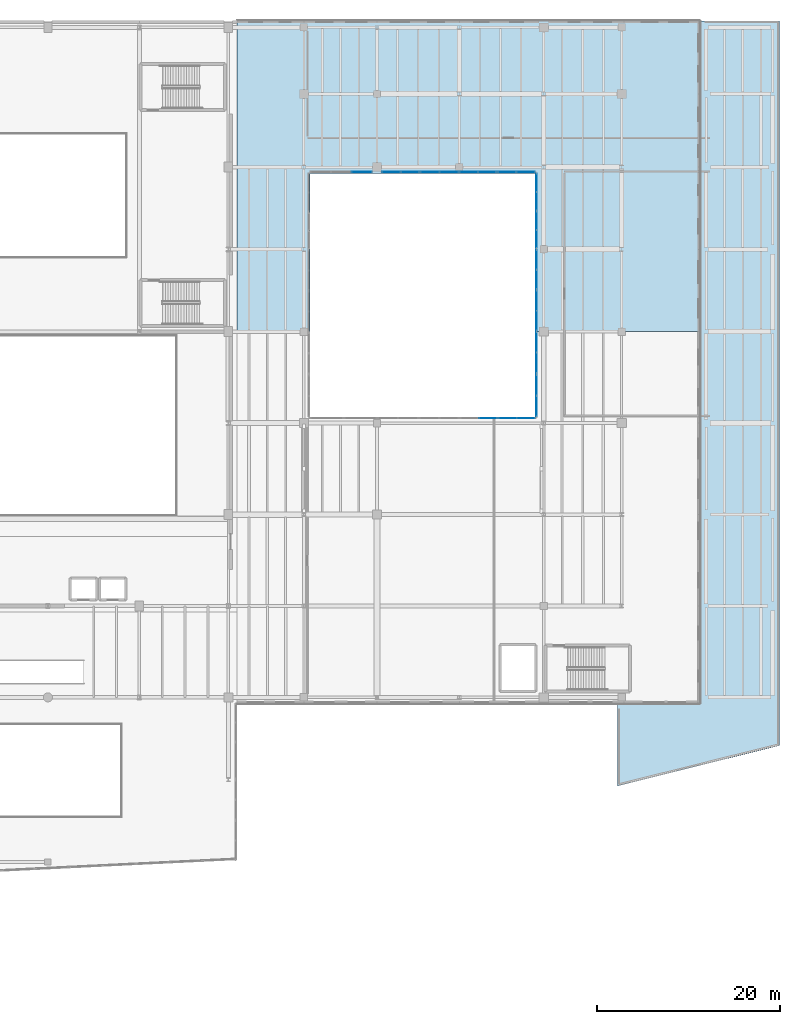
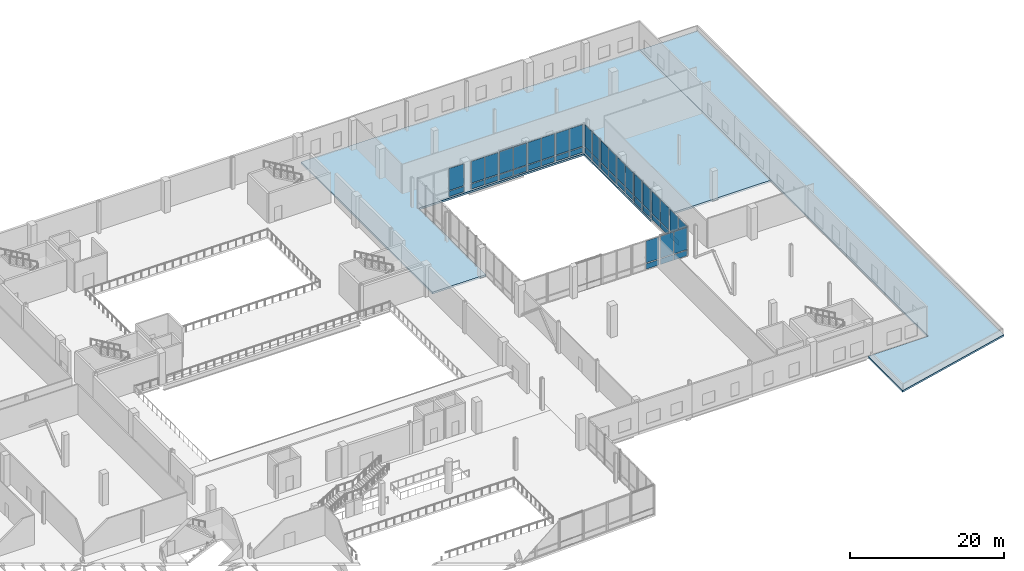
# One storey, part 50 of 73: 48 plates, 2 slabs, 13 elements without a shape of their own.
"""IFC4 building model written with IfcOpenShell, lengths in metres."""

import ifcopenshell
import ifcopenshell.guid

model = None  # the IFC model being written
_history = None  # IfcOwnerHistory: only IFC2X3 demands one
_inside = {}  # id of a spatial element -> (the spatial element, [elements in it])
_under = {}  # id of a project, library or spatial element -> (it, [spatial elements below it])
_declared = {}  # id of a project -> (the project, [libraries it declares])
_typed = {}  # id of a type object -> (the type object, [elements of that type])
_made_of = {}  # id of a material, layer set ... -> (it, [elements and type objects made of it])


def new_model(schema):
    """Start an empty IFC model of exactly this schema.

    Asked for "IFC4X3", IfcOpenShell would pick the latest addendum, in which some entities
    have other attributes; the version numbers below select the first issue.
    IFC2X3 requires an IfcOwnerHistory on every rooted entity: one is made here for all.
    """
    global model, _history
    if schema == "IFC4X3":
        model = ifcopenshell.file(schema_version=(4, 3, 0, 0))
    else:
        model = ifcopenshell.file(schema=schema)
    _inside.clear()
    _under.clear()
    _declared.clear()
    _typed.clear()
    _made_of.clear()
    _history = None
    if model.schema == "IFC2X3":
        org = make("IfcOrganization", Name="unknown")
        user = make(
            "IfcPersonAndOrganization",
            ThePerson=make("IfcPerson", FamilyName="unknown"),
            TheOrganization=org,
        )
        app = make(
            "IfcApplication",
            ApplicationDeveloper=org,
            Version="unknown",
            ApplicationFullName="unknown",
            ApplicationIdentifier="unknown",
        )
        _history = make(
            "IfcOwnerHistory",
            OwningUser=user,
            OwningApplication=app,
            ChangeAction="ADDED",
            CreationDate=0,
        )
    return model


def make(cls, **values):
    """One entity of the class cls with the attributes given. An attribute that is None is left unset."""
    return model.create_entity(
        cls, **{name: value for name, value in values.items() if value is not None}
    )


def rooted(cls, **values):
    """An entity with a GlobalId (a new one), such as an element, a storey or a relation."""
    return make(cls, GlobalId=ifcopenshell.guid.new(), OwnerHistory=_history, **values)


def si_unit(unit_type, name, prefix=None):
    """IfcSIUnit, for example si_unit("LENGTHUNIT", "METRE", prefix="MILLI")."""
    return make("IfcSIUnit", UnitType=unit_type, Prefix=prefix, Name=name)


def assignment(units):
    """IfcUnitAssignment: the units of a project."""
    return None if units is None else make("IfcUnitAssignment", Units=units)


def point(xyz):
    """IfcCartesianPoint."""
    return None if xyz is None else make("IfcCartesianPoint", Coordinates=xyz)


def direction(xyz):
    """IfcDirection."""
    return None if xyz is None else make("IfcDirection", DirectionRatios=xyz)


def frame(location, z_axis=None, x_axis=None):
    """IfcAxis2Placement3D, a coordinate frame: its origin and axes. An axis left out is left unset."""
    return make(
        "IfcAxis2Placement3D",
        Location=point(location),
        Axis=direction(z_axis),
        RefDirection=direction(x_axis),
    )


def frame_2d(location, x_axis=None):
    """IfcAxis2Placement2D, a coordinate frame in the plane: its origin and x axis."""
    return make(
        "IfcAxis2Placement2D", Location=point(location), RefDirection=direction(x_axis)
    )


def origin():
    """The frame at (0, 0, 0) with its axes left unset."""
    return frame((0.0, 0.0, 0.0))


def origin_2d():
    """The frame at (0, 0) in the plane with its x axis left unset."""
    return frame_2d((0.0, 0.0))


def place(relative_to, where):
    """IfcLocalPlacement: puts the frame where relative to a parent placement (None: the world)."""
    return make(
        "IfcLocalPlacement", PlacementRelTo=relative_to, RelativePlacement=where
    )


def context(
    kind, dimensions, precision=None, world=None, true_north=None, identifier=None
):
    """IfcGeometricRepresentationContext, for example the 3D "Model" context."""
    return make(
        "IfcGeometricRepresentationContext",
        ContextIdentifier=identifier,
        ContextType=kind,
        CoordinateSpaceDimension=dimensions,
        Precision=precision,
        WorldCoordinateSystem=world,
        TrueNorth=true_north,
    )


def subcontext(parent, identifier, kind, view, scale=None):
    """IfcGeometricRepresentationSubContext, for example "Body" below "Model"."""
    return make(
        "IfcGeometricRepresentationSubContext",
        ContextIdentifier=identifier,
        ContextType=kind,
        ParentContext=parent,
        TargetScale=scale,
        TargetView=view,
    )


def project(units=None, contexts=None):
    """IfcProject with its units and contexts."""
    return rooted(
        "IfcProject",
        Name="project",
        RepresentationContexts=contexts,
        UnitsInContext=assignment(units),
    )


def spatial(cls, under=None, at=None, **own):
    """A site, building, storey or space (cls), placed at a placement, below another one or the project."""
    s = rooted(cls, ObjectPlacement=at, **own)
    if under is not None:
        _under.setdefault(under.id(), (under, []))[1].append(s)
    return s


def polyline(points):
    """IfcPolyline through the points."""
    return make("IfcPolyline", Points=[point(p) for p in points])


def profile(cls, at=None, kind="AREA", **sizes):
    """A parametric profile (cls). Its sizes go by their IFC names, for example OverallWidth=200.0."""
    return make(cls, ProfileType=kind, Position=at, **sizes)


def rectangle(**sizes):
    """IfcRectangleProfileDef."""
    return profile("IfcRectangleProfileDef", **sizes)


def outline(outer, holes=None, kind="AREA"):
    """IfcArbitraryClosedProfileDef: a profile drawn as a closed curve; with holes, ...WithVoids."""
    if holes is None:
        return make("IfcArbitraryClosedProfileDef", ProfileType=kind, OuterCurve=outer)
    return make(
        "IfcArbitraryProfileDefWithVoids",
        ProfileType=kind,
        OuterCurve=outer,
        InnerCurves=holes,
    )


def extrude(swept, where, along, depth):
    """IfcExtrudedAreaSolid: the profile swept, set in the frame where, extruded along a direction by depth."""
    return make(
        "IfcExtrudedAreaSolid",
        SweptArea=swept,
        Position=where,
        ExtrudedDirection=direction(along),
        Depth=depth,
    )


def shape(context_of_items, identifier, shape_type, items):
    """IfcShapeRepresentation: the items that make up one representation, for example the "Body"."""
    return make(
        "IfcShapeRepresentation",
        ContextOfItems=context_of_items,
        RepresentationIdentifier=identifier,
        RepresentationType=shape_type,
        Items=items,
    )


def material(Name=None, Category=None):
    """IfcMaterial."""
    return make("IfcMaterial", Name=Name, Category=Category)


def layer(
    of_material, thickness, ventilated=None, Name=None, Category=None, Priority=None
):
    """IfcMaterialLayer: one layer of a wall or slab, of a material (None: an air gap)."""
    return make(
        "IfcMaterialLayer",
        Material=of_material,
        LayerThickness=thickness,
        IsVentilated=ventilated,
        Name=Name,
        Category=Category,
        Priority=Priority,
    )


def layer_set(layers, Name=None):
    """IfcMaterialLayerSet."""
    return make("IfcMaterialLayerSet", MaterialLayers=layers, LayerSetName=Name)


def made_of(thing, what):
    """Note that an element or type object is made of a material, layer set ...; save() writes the relation."""
    if what is not None:
        _made_of.setdefault(what.id(), (what, []))[1].append(thing)
    return thing


def type_object(cls, material=None, **own):
    """A type object (cls), such as IfcWallType, which elements share."""
    return made_of(rooted(cls, **own), material)


def element(
    cls,
    number,
    at=None,
    inside=None,
    cuts=None,
    type_object=None,
    material=None,
    context=None,
    identifier="Body",
    shape_type=None,
    held_by="IfcProductDefinitionShape",
    body=None,
    shapes=None,
    **own,
):
    """One element of the class cls, such as IfcWall. Its Tag is "e" and its number.

    at: its placement. inside: the storey or other place that contains it. cuts: it is an
    opening in that element (IfcRelVoidsElement). A single representation is given by context,
    identifier, shape_type and body (its items); several are given by shapes. held_by: the class
    of the entity that holds the representations. save() writes the other relations.
    """
    e = rooted(cls, Tag="e%d" % number, ObjectPlacement=at, **own)
    if body is not None:
        shapes = [shape(context, identifier, shape_type, body)]
    if shapes is not None:
        e.Representation = make(held_by, Representations=shapes)
    if inside is not None:
        _inside.setdefault(inside.id(), (inside, []))[1].append(e)
    if cuts is not None:
        rooted(
            "IfcRelVoidsElement", RelatingBuildingElement=cuts, RelatedOpeningElement=e
        )
    if type_object is not None:
        _typed.setdefault(type_object.id(), (type_object, []))[1].append(e)
    return made_of(e, material)


def aggregate(whole, parts):
    """IfcRelAggregates: a whole, such as a stair, and the parts it consists of."""
    return rooted("IfcRelAggregates", RelatingObject=whole, RelatedObjects=parts)


def save(model, path):
    """Write the relations noted so far, then the file.

    IfcRelAggregates (storeys below a building ...), IfcRelContainedInSpatialStructure (elements
    in a storey), IfcRelDefinesByType, IfcRelAssociatesMaterial and IfcRelDeclares: one each for
    every whole, place, type object, material and project.
    """
    for whole, parts in _under.values():
        aggregate(whole, parts)
    for where, things in _inside.values():
        rooted(
            "IfcRelContainedInSpatialStructure",
            RelatedElements=things,
            RelatingStructure=where,
        )
    for kind, things in _typed.values():
        rooted("IfcRelDefinesByType", RelatedObjects=things, RelatingType=kind)
    for what, things in _made_of.values():
        rooted("IfcRelAssociatesMaterial", RelatedObjects=things, RelatingMaterial=what)
    for by, libraries in _declared.values():
        rooted("IfcRelDeclares", RelatingContext=by, RelatedDefinitions=libraries)
    model.write(path)


model = new_model("IFC4")

# Units and contexts
model_context = context("Model", 3, precision=1e-05, world=origin(), true_north=direction((0.0, 1.0)))
body_context = subcontext(model_context, "Body", "Model", "MODEL_VIEW")
ifc_project = project(units=[si_unit("LENGTHUNIT", "METRE"), si_unit("AREAUNIT", "SQUARE_METRE"), si_unit("VOLUMEUNIT", "CUBIC_METRE"), si_unit("PLANEANGLEUNIT", "RADIAN"), si_unit("MASSUNIT", "GRAM", prefix="KILO")], contexts=[model_context])

# Site, building, storey
site_placement = place(None, origin())
site = spatial("IfcSite", under=ifc_project, at=site_placement, CompositionType="ELEMENT")
building_placement = place(site_placement, origin())
building = spatial("IfcBuilding", under=site, at=building_placement, Name="Trimount Lyric Opera House", CompositionType="ELEMENT")
storey_placement = place(building_placement, frame((0.0, 0.0, 10.0)))
storey = spatial("IfcBuildingStorey", under=building, at=storey_placement, Name="L02", CompositionType="ELEMENT", Elevation=10.0)

# Curtain wall, plate
ifc_material_1 = material(Name="Thermally Broken Aluminium and Low-E Glass", Category="aluminium")
curtain_wall_type = type_object("IfcCurtainWallType", Name="CW-03", PredefinedType="NOTDEFINED", material=ifc_material_1)
curtain_wall_1_placement = place(storey_placement, origin())
curtain_wall_1 = element("IfcCurtainWall", 1, at=curtain_wall_1_placement, inside=storey, type_object=curtain_wall_type, Name="L02 curtain wall 226", PredefinedType="NOTDEFINED")
ifc_material_2 = material(Name="Triple Low-E Acoustic Laminated Glass", Category="glass")
ifc_layer_1 = layer(ifc_material_2, 0.035888671875)
ifc_layer_set_1 = layer_set([ifc_layer_1], Name="CWP-01")
plate_type_1 = type_object("IfcPlateType", Name="CWP-01", PredefinedType="CURTAIN_PANEL", material=ifc_layer_set_1)
plate_1_placement = place(storey_placement, frame((142.126220703125, 74.5400390625, 0.13525390625), z_axis=(0.0, 0.0, 1.0), x_axis=(1.0, 0.0, 0.0)))
plate_1 = element("IfcPlate", 2, at=plate_1_placement, type_object=plate_type_1, Name="CW-03 panel 2.1", PredefinedType="CURTAIN_PANEL", context=body_context, shape_type="SweptSolid", body=[
    extrude(rectangle(XDim=1.9375, YDim=0.035888671875, at=origin_2d()), origin(), (0.0, 0.0, 1.0), 0.847412109375),
])

# Curtain wall, plates
curtain_wall_2_placement = place(storey_placement, origin())
curtain_wall_2 = element("IfcCurtainWall", 3, at=curtain_wall_2_placement, inside=storey, type_object=curtain_wall_type, Name="L02 curtain wall 227", PredefinedType="NOTDEFINED")
plate_2_placement = place(storey_placement, frame((144.282470703125, 74.5400390625, 0.114990234375), z_axis=(0.0, 0.0, 1.0), x_axis=(1.0, 0.0, 0.0)))
plate_2 = element("IfcPlate", 4, at=plate_2_placement, type_object=plate_type_1, Name="CW-03 panel 1.1", PredefinedType="CURTAIN_PANEL", context=body_context, shape_type="SweptSolid", body=[
    extrude(rectangle(XDim=1.945068359375, YDim=0.035888671875, at=origin_2d()), origin(), (0.0, 0.0, 1.0), 0.87744140625),
])
plate_3_placement = place(storey_placement, frame((146.28759765625, 74.5400390625, 0.114990234375), z_axis=(0.0, 0.0, 1.0), x_axis=(1.0, 0.0, 0.0)))
plate_3 = element("IfcPlate", 5, at=plate_3_placement, type_object=plate_type_1, Name="CW-03 panel 2.1", PredefinedType="CURTAIN_PANEL", context=body_context, shape_type="SweptSolid", body=[
    extrude(rectangle(XDim=1.945068359375, YDim=0.035888671875, at=origin_2d()), origin(), (0.0, 0.0, 1.0), 0.87744140625),
])

curtain_wall_3_placement = place(storey_placement, origin())
curtain_wall_3 = element("IfcCurtainWall", 6, at=curtain_wall_3_placement, inside=storey, type_object=curtain_wall_type, Name="L02 curtain wall 228", PredefinedType="NOTDEFINED")
plate_4_placement = place(storey_placement, frame((147.4599609375, 75.862548828125, 0.159912109375), z_axis=(0.0, 0.0, 1.0), x_axis=(0.0, 1.0, 0.0)))
plate_4 = element("IfcPlate", 7, at=plate_4_placement, type_object=plate_type_1, Name="CW-03 panel 1.1", PredefinedType="CURTAIN_PANEL", context=body_context, shape_type="SweptSolid", body=[
    extrude(rectangle(XDim=2.22509765625, YDim=0.035888671875, at=origin_2d()), origin(), (0.0, 0.0, 1.0), 0.81005859375),
])
plate_5_placement = place(storey_placement, frame((147.4599609375, 78.157470703125, 0.159912109375), z_axis=(0.0, 0.0, 1.0), x_axis=(0.0, 1.0, 0.0)))
plate_5 = element("IfcPlate", 8, at=plate_5_placement, type_object=plate_type_1, Name="CW-03 panel 2.1", PredefinedType="CURTAIN_PANEL", context=body_context, shape_type="SweptSolid", body=[
    extrude(rectangle(XDim=2.22509765625, YDim=0.035888671875, at=origin_2d()), origin(), (0.0, 0.0, 1.0), 0.81005859375),
])

curtain_wall_4_placement = place(storey_placement, origin())
curtain_wall_4 = element("IfcCurtainWall", 9, at=curtain_wall_4_placement, inside=storey, type_object=curtain_wall_type, Name="L02 curtain wall 229", PredefinedType="NOTDEFINED")
plate_6_placement = place(storey_placement, frame((147.4599609375, 80.5888671875, 0.13525390625), z_axis=(0.0, 0.0, 1.0), x_axis=(0.0, 1.0, 0.0)))
plate_6 = element("IfcPlate", 10, at=plate_6_placement, type_object=plate_type_1, Name="CW-03 panel 1.1", PredefinedType="CURTAIN_PANEL", context=body_context, shape_type="SweptSolid", body=[
    extrude(rectangle(XDim=2.1875, YDim=0.035888671875, at=origin_2d()), origin(), (0.0, 0.0, 1.0), 0.847412109375),
])
plate_7_placement = place(storey_placement, frame((147.4599609375, 82.84130859375, 0.13525390625), z_axis=(0.0, 0.0, 1.0), x_axis=(0.0, 1.0, 0.0)))
plate_7 = element("IfcPlate", 11, at=plate_7_placement, type_object=plate_type_1, Name="CW-03 panel 2.1", PredefinedType="CURTAIN_PANEL", context=body_context, shape_type="SweptSolid", body=[
    extrude(rectangle(XDim=2.1875, YDim=0.035888671875, at=origin_2d()), origin(), (0.0, 0.0, 1.0), 0.847412109375),
])

curtain_wall_5_placement = place(storey_placement, origin())
curtain_wall_5 = element("IfcCurtainWall", 12, at=curtain_wall_5_placement, inside=storey, type_object=curtain_wall_type, Name="L02 curtain wall 230", PredefinedType="NOTDEFINED")
plate_8_placement = place(storey_placement, frame((147.4599609375, 85.20751953125, 0.114990234375), z_axis=(0.0, 0.0, 1.0), x_axis=(0.0, 1.0, 0.0)))
plate_8 = element("IfcPlate", 13, at=plate_8_placement, type_object=plate_type_1, Name="CW-03 panel 1.1", PredefinedType="CURTAIN_PANEL", context=body_context, shape_type="SweptSolid", body=[
    extrude(rectangle(XDim=2.114990234375, YDim=0.035888671875, at=origin_2d()), origin(), (0.0, 0.0, 1.0), 0.87744140625),
])
plate_9_placement = place(storey_placement, frame((147.4599609375, 87.382568359375, 0.114990234375), z_axis=(0.0, 0.0, 1.0), x_axis=(0.0, 1.0, 0.0)))
plate_9 = element("IfcPlate", 14, at=plate_9_placement, type_object=plate_type_1, Name="CW-03 panel 2.1", PredefinedType="CURTAIN_PANEL", context=body_context, shape_type="SweptSolid", body=[
    extrude(rectangle(XDim=2.114990234375, YDim=0.035888671875, at=origin_2d()), origin(), (0.0, 0.0, 1.0), 0.87744140625),
])

curtain_wall_6_placement = place(storey_placement, origin())
curtain_wall_6 = element("IfcCurtainWall", 15, at=curtain_wall_6_placement, inside=storey, type_object=curtain_wall_type, Name="L02 curtain wall 231", PredefinedType="NOTDEFINED")
plate_10_placement = place(storey_placement, frame((147.4599609375, 89.7099609375, 0.159912109375), z_axis=(0.0, 0.0, 1.0), x_axis=(0.0, 1.0, 0.0)))
plate_10 = element("IfcPlate", 16, at=plate_10_placement, type_object=plate_type_1, Name="CW-03 panel 1.1", PredefinedType="CURTAIN_PANEL", context=body_context, shape_type="SweptSolid", body=[
    extrude(rectangle(XDim=2.10009765625, YDim=0.035888671875, at=origin_2d()), origin(), (0.0, 0.0, 1.0), 0.81005859375),
])
plate_11_placement = place(storey_placement, frame((147.4599609375, 91.8798828125, 0.159912109375), z_axis=(0.0, 0.0, 1.0), x_axis=(0.0, 1.0, 0.0)))
plate_11 = element("IfcPlate", 17, at=plate_11_placement, type_object=plate_type_1, Name="CW-03 panel 2.1", PredefinedType="CURTAIN_PANEL", context=body_context, shape_type="SweptSolid", body=[
    extrude(rectangle(XDim=2.10009765625, YDim=0.035888671875, at=origin_2d()), origin(), (0.0, 0.0, 1.0), 0.81005859375),
])

curtain_wall_7_placement = place(storey_placement, origin())
curtain_wall_7 = element("IfcCurtainWall", 18, at=curtain_wall_7_placement, inside=storey, type_object=curtain_wall_type, Name="L02 curtain wall 232", PredefinedType="NOTDEFINED")
plate_12_placement = place(storey_placement, frame((147.4599609375, 94.123779296875, 0.13525390625), z_axis=(0.0, 0.0, 1.0), x_axis=(0.0, 1.0, 0.0)))
plate_12 = element("IfcPlate", 19, at=plate_12_placement, type_object=plate_type_1, Name="CW-03 panel 1.1", PredefinedType="CURTAIN_PANEL", context=body_context, shape_type="SweptSolid", body=[
    extrude(rectangle(XDim=1.9375, YDim=0.035888671875, at=origin_2d()), origin(), (0.0, 0.0, 1.0), 0.847412109375),
])
plate_13_placement = place(storey_placement, frame((147.4599609375, 96.126220703125, 0.13525390625), z_axis=(0.0, 0.0, 1.0), x_axis=(0.0, 1.0, 0.0)))
plate_13 = element("IfcPlate", 20, at=plate_13_placement, type_object=plate_type_1, Name="CW-03 panel 2.1", PredefinedType="CURTAIN_PANEL", context=body_context, shape_type="SweptSolid", body=[
    extrude(rectangle(XDim=1.9375, YDim=0.035888671875, at=origin_2d()), origin(), (0.0, 0.0, 1.0), 0.847412109375),
])

curtain_wall_8_placement = place(storey_placement, origin())
curtain_wall_8 = element("IfcCurtainWall", 21, at=curtain_wall_8_placement, inside=storey, type_object=curtain_wall_type, Name="L02 curtain wall 233", PredefinedType="NOTDEFINED")
plate_14_placement = place(storey_placement, frame((147.4599609375, 98.282470703125, 0.114990234375), z_axis=(0.0, 0.0, 1.0), x_axis=(0.0, 1.0, 0.0)))
plate_14 = element("IfcPlate", 22, at=plate_14_placement, type_object=plate_type_1, Name="CW-03 panel 1.1", PredefinedType="CURTAIN_PANEL", context=body_context, shape_type="SweptSolid", body=[
    extrude(rectangle(XDim=1.945068359375, YDim=0.035888671875, at=origin_2d()), origin(), (0.0, 0.0, 1.0), 0.87744140625),
])
plate_15_placement = place(storey_placement, frame((147.4599609375, 100.28759765625, 0.114990234375), z_axis=(0.0, 0.0, 1.0), x_axis=(0.0, 1.0, 0.0)))
plate_15 = element("IfcPlate", 23, at=plate_15_placement, type_object=plate_type_1, Name="CW-03 panel 2.1", PredefinedType="CURTAIN_PANEL", context=body_context, shape_type="SweptSolid", body=[
    extrude(rectangle(XDim=1.945068359375, YDim=0.035888671875, at=origin_2d()), origin(), (0.0, 0.0, 1.0), 0.87744140625),
])

curtain_wall_9_placement = place(storey_placement, origin())
curtain_wall_9 = element("IfcCurtainWall", 24, at=curtain_wall_9_placement, inside=storey, type_object=curtain_wall_type, Name="L02 curtain wall 234", PredefinedType="NOTDEFINED")
plate_16_placement = place(storey_placement, frame((146.262451171875, 101.4599609375, 0.159912109375), z_axis=(0.0, 0.0, 1.0), x_axis=(-1.0, 0.0, 0.0)))
plate_16 = element("IfcPlate", 25, at=plate_16_placement, type_object=plate_type_1, Name="CW-03 panel 1.1", PredefinedType="CURTAIN_PANEL", context=body_context, shape_type="SweptSolid", body=[
    extrude(rectangle(XDim=1.97509765625, YDim=0.035888671875, at=origin_2d()), origin(), (0.0, 0.0, 1.0), 0.81005859375),
])
plate_17_placement = place(storey_placement, frame((144.217529296875, 101.4599609375, 0.159912109375), z_axis=(0.0, 0.0, 1.0), x_axis=(-1.0, 0.0, 0.0)))
plate_17 = element("IfcPlate", 26, at=plate_17_placement, type_object=plate_type_1, Name="CW-03 panel 2.1", PredefinedType="CURTAIN_PANEL", context=body_context, shape_type="SweptSolid", body=[
    extrude(rectangle(XDim=1.97509765625, YDim=0.035888671875, at=origin_2d()), origin(), (0.0, 0.0, 1.0), 0.81005859375),
])

curtain_wall_10_placement = place(storey_placement, origin())
curtain_wall_10 = element("IfcCurtainWall", 27, at=curtain_wall_10_placement, inside=storey, type_object=curtain_wall_type, Name="L02 curtain wall 235", PredefinedType="NOTDEFINED")
plate_18_placement = place(storey_placement, frame((142.0361328125, 101.4599609375, 0.13525390625), z_axis=(0.0, 0.0, 1.0), x_axis=(-1.0, 0.0, 0.0)))
plate_18 = element("IfcPlate", 28, at=plate_18_placement, type_object=plate_type_1, Name="CW-03 panel 1.1", PredefinedType="CURTAIN_PANEL", context=body_context, shape_type="SweptSolid", body=[
    extrude(rectangle(XDim=1.9375, YDim=0.035888671875, at=origin_2d()), origin(), (0.0, 0.0, 1.0), 0.847412109375),
])
plate_19_placement = place(storey_placement, frame((140.03369140625, 101.4599609375, 0.13525390625), z_axis=(0.0, 0.0, 1.0), x_axis=(-1.0, 0.0, 0.0)))
plate_19 = element("IfcPlate", 29, at=plate_19_placement, type_object=plate_type_1, Name="CW-03 panel 2.1", PredefinedType="CURTAIN_PANEL", context=body_context, shape_type="SweptSolid", body=[
    extrude(rectangle(XDim=1.9375, YDim=0.035888671875, at=origin_2d()), origin(), (0.0, 0.0, 1.0), 0.847412109375),
])

curtain_wall_11_placement = place(storey_placement, origin())
curtain_wall_11 = element("IfcCurtainWall", 30, at=curtain_wall_11_placement, inside=storey, type_object=curtain_wall_type, Name="L02 curtain wall 236", PredefinedType="NOTDEFINED")
plate_20_placement = place(storey_placement, frame((137.85498046875, 101.4599609375, 0.114990234375), z_axis=(0.0, 0.0, 1.0), x_axis=(-1.0, 0.0, 0.0)))
plate_20 = element("IfcPlate", 31, at=plate_20_placement, type_object=plate_type_1, Name="CW-03 panel 1.1", PredefinedType="CURTAIN_PANEL", context=body_context, shape_type="SweptSolid", body=[
    extrude(rectangle(XDim=1.989990234375, YDim=0.035888671875, at=origin_2d()), origin(), (0.0, 0.0, 1.0), 0.87744140625),
])
plate_21_placement = place(storey_placement, frame((135.804931640625, 101.4599609375, 0.114990234375), z_axis=(0.0, 0.0, 1.0), x_axis=(-1.0, 0.0, 0.0)))
plate_21 = element("IfcPlate", 32, at=plate_21_placement, type_object=plate_type_1, Name="CW-03 panel 2.1", PredefinedType="CURTAIN_PANEL", context=body_context, shape_type="SweptSolid", body=[
    extrude(rectangle(XDim=1.989990234375, YDim=0.035888671875, at=origin_2d()), origin(), (0.0, 0.0, 1.0), 0.87744140625),
])

curtain_wall_12_placement = place(storey_placement, origin())
curtain_wall_12 = element("IfcCurtainWall", 33, at=curtain_wall_12_placement, inside=storey, type_object=curtain_wall_type, Name="L02 curtain wall 237", PredefinedType="NOTDEFINED")
plate_22_placement = place(storey_placement, frame((133.6025390625, 101.4599609375, 0.159912109375), z_axis=(0.0, 0.0, 1.0), x_axis=(-1.0, 0.0, 0.0)))
plate_22 = element("IfcPlate", 34, at=plate_22_placement, type_object=plate_type_1, Name="CW-03 panel 1.1", PredefinedType="CURTAIN_PANEL", context=body_context, shape_type="SweptSolid", body=[
    extrude(rectangle(XDim=1.97509765625, YDim=0.035888671875, at=origin_2d()), origin(), (0.0, 0.0, 1.0), 0.81005859375),
])
plate_23_placement = place(storey_placement, frame((131.5576171875, 101.4599609375, 0.159912109375), z_axis=(0.0, 0.0, 1.0), x_axis=(-1.0, 0.0, 0.0)))
plate_23 = element("IfcPlate", 35, at=plate_23_placement, type_object=plate_type_1, Name="CW-03 panel 2.1", PredefinedType="CURTAIN_PANEL", context=body_context, shape_type="SweptSolid", body=[
    extrude(rectangle(XDim=1.97509765625, YDim=0.035888671875, at=origin_2d()), origin(), (0.0, 0.0, 1.0), 0.81005859375),
])

# Curtain wall, plate
curtain_wall_13_placement = place(storey_placement, origin())
curtain_wall_13 = element("IfcCurtainWall", 36, at=curtain_wall_13_placement, inside=storey, type_object=curtain_wall_type, Name="L02 curtain wall 238", PredefinedType="NOTDEFINED")
plate_24_placement = place(storey_placement, frame((128.34716796875, 101.4599609375, 0.13525390625), z_axis=(0.0, 0.0, 1.0), x_axis=(-1.0, 0.0, 0.0)))
plate_24 = element("IfcPlate", 37, at=plate_24_placement, type_object=plate_type_1, Name="CW-03 panel 1.1", PredefinedType="CURTAIN_PANEL", context=body_context, shape_type="SweptSolid", body=[
    extrude(rectangle(XDim=2.17578125, YDim=0.035888671875, at=origin_2d()), origin(), (0.0, 0.0, 1.0), 0.847412109375),
])

# Plate
ifc_material_3 = material(Name="Insulated Aluminium Shadow-Box Spandrel Panel", Category="aluminium")
ifc_layer_2 = layer(ifc_material_3, 0.0419921875)
ifc_layer_set_2 = layer_set([ifc_layer_2], Name="CWP-04")
plate_type_2 = type_object("IfcPlateType", Name="CWP-04", PredefinedType="CURTAIN_PANEL", material=ifc_layer_set_2)
plate_25_placement = place(storey_placement, frame((142.126220703125, 74.5400390625, 1.11767578125), z_axis=(0.0, 0.0, 1.0), x_axis=(1.0, 0.0, 0.0)))
plate_25 = element("IfcPlate", 38, at=plate_25_placement, type_object=plate_type_2, Name="CW-03 panel 2.2", PredefinedType="CURTAIN_PANEL", context=body_context, shape_type="SweptSolid", body=[
    extrude(rectangle(XDim=1.9375, YDim=0.035888671875, at=origin_2d()), origin(), (0.0, 0.0, 1.0), 3.467529296875),
])

aggregate(curtain_wall_1, [plate_1, plate_25])

plate_26_placement = place(storey_placement, frame((144.282470703125, 74.5400390625, 1.107421875), z_axis=(0.0, 0.0, 1.0), x_axis=(1.0, 0.0, 0.0)))
plate_26 = element("IfcPlate", 39, at=plate_26_placement, type_object=plate_type_2, Name="CW-03 panel 1.2", PredefinedType="CURTAIN_PANEL", context=body_context, shape_type="SweptSolid", body=[
    extrude(rectangle(XDim=1.945068359375, YDim=0.035888671875, at=origin_2d()), origin(), (0.0, 0.0, 1.0), 3.49755859375),
])

plate_27_placement = place(storey_placement, frame((146.28759765625, 74.5400390625, 1.107421875), z_axis=(0.0, 0.0, 1.0), x_axis=(1.0, 0.0, 0.0)))
plate_27 = element("IfcPlate", 40, at=plate_27_placement, type_object=plate_type_2, Name="CW-03 panel 2.2", PredefinedType="CURTAIN_PANEL", context=body_context, shape_type="SweptSolid", body=[
    extrude(rectangle(XDim=1.945068359375, YDim=0.035888671875, at=origin_2d()), origin(), (0.0, 0.0, 1.0), 3.49755859375),
])

aggregate(curtain_wall_2, [plate_2, plate_26, plate_3, plate_27])

plate_28_placement = place(storey_placement, frame((147.4599609375, 75.862548828125, 1.130126953125), z_axis=(0.0, 0.0, 1.0), x_axis=(0.0, 1.0, 0.0)))
plate_28 = element("IfcPlate", 41, at=plate_28_placement, type_object=plate_type_2, Name="CW-03 panel 1.2", PredefinedType="CURTAIN_PANEL", context=body_context, shape_type="SweptSolid", body=[
    extrude(rectangle(XDim=2.22509765625, YDim=0.035888671875, at=origin_2d()), origin(), (0.0, 0.0, 1.0), 3.419921875),
])

plate_29_placement = place(storey_placement, frame((147.4599609375, 78.157470703125, 1.130126953125), z_axis=(0.0, 0.0, 1.0), x_axis=(0.0, 1.0, 0.0)))
plate_29 = element("IfcPlate", 42, at=plate_29_placement, type_object=plate_type_2, Name="CW-03 panel 2.2", PredefinedType="CURTAIN_PANEL", context=body_context, shape_type="SweptSolid", body=[
    extrude(rectangle(XDim=2.22509765625, YDim=0.035888671875, at=origin_2d()), origin(), (0.0, 0.0, 1.0), 3.419921875),
])

aggregate(curtain_wall_3, [plate_4, plate_28, plate_5, plate_29])

plate_30_placement = place(storey_placement, frame((147.4599609375, 80.5888671875, 1.117431640625), z_axis=(0.0, 0.0, 1.0), x_axis=(0.0, 1.0, 0.0)))
plate_30 = element("IfcPlate", 43, at=plate_30_placement, type_object=plate_type_2, Name="CW-03 panel 1.2", PredefinedType="CURTAIN_PANEL", context=body_context, shape_type="SweptSolid", body=[
    extrude(rectangle(XDim=2.1875, YDim=0.035888671875, at=origin_2d()), origin(), (0.0, 0.0, 1.0), 3.45751953125),
])

plate_31_placement = place(storey_placement, frame((147.4599609375, 82.84130859375, 1.117431640625), z_axis=(0.0, 0.0, 1.0), x_axis=(0.0, 1.0, 0.0)))
plate_31 = element("IfcPlate", 44, at=plate_31_placement, type_object=plate_type_2, Name="CW-03 panel 2.2", PredefinedType="CURTAIN_PANEL", context=body_context, shape_type="SweptSolid", body=[
    extrude(rectangle(XDim=2.1875, YDim=0.035888671875, at=origin_2d()), origin(), (0.0, 0.0, 1.0), 3.45751953125),
])

aggregate(curtain_wall_4, [plate_6, plate_30, plate_7, plate_31])

plate_32_placement = place(storey_placement, frame((147.4599609375, 85.20751953125, 1.107421875), z_axis=(0.0, 0.0, 1.0), x_axis=(0.0, 1.0, 0.0)))
plate_32 = element("IfcPlate", 45, at=plate_32_placement, type_object=plate_type_2, Name="CW-03 panel 1.2", PredefinedType="CURTAIN_PANEL", context=body_context, shape_type="SweptSolid", body=[
    extrude(rectangle(XDim=2.114990234375, YDim=0.035888671875, at=origin_2d()), origin(), (0.0, 0.0, 1.0), 3.487548828125),
])

plate_33_placement = place(storey_placement, frame((147.4599609375, 87.382568359375, 1.107421875), z_axis=(0.0, 0.0, 1.0), x_axis=(0.0, 1.0, 0.0)))
plate_33 = element("IfcPlate", 46, at=plate_33_placement, type_object=plate_type_2, Name="CW-03 panel 2.2", PredefinedType="CURTAIN_PANEL", context=body_context, shape_type="SweptSolid", body=[
    extrude(rectangle(XDim=2.114990234375, YDim=0.035888671875, at=origin_2d()), origin(), (0.0, 0.0, 1.0), 3.487548828125),
])

aggregate(curtain_wall_5, [plate_8, plate_32, plate_9, plate_33])

plate_34_placement = place(storey_placement, frame((147.4599609375, 89.7099609375, 1.130126953125), z_axis=(0.0, 0.0, 1.0), x_axis=(0.0, 1.0, 0.0)))
plate_34 = element("IfcPlate", 47, at=plate_34_placement, type_object=plate_type_2, Name="CW-03 panel 1.2", PredefinedType="CURTAIN_PANEL", context=body_context, shape_type="SweptSolid", body=[
    extrude(rectangle(XDim=2.10009765625, YDim=0.035888671875, at=origin_2d()), origin(), (0.0, 0.0, 1.0), 3.419921875),
])

plate_35_placement = place(storey_placement, frame((147.4599609375, 91.8798828125, 1.130126953125), z_axis=(0.0, 0.0, 1.0), x_axis=(0.0, 1.0, 0.0)))
plate_35 = element("IfcPlate", 48, at=plate_35_placement, type_object=plate_type_2, Name="CW-03 panel 2.2", PredefinedType="CURTAIN_PANEL", context=body_context, shape_type="SweptSolid", body=[
    extrude(rectangle(XDim=2.10009765625, YDim=0.035888671875, at=origin_2d()), origin(), (0.0, 0.0, 1.0), 3.419921875),
])

aggregate(curtain_wall_6, [plate_10, plate_34, plate_11, plate_35])

plate_36_placement = place(storey_placement, frame((147.4599609375, 94.123779296875, 1.117431640625), z_axis=(0.0, 0.0, 1.0), x_axis=(0.0, 1.0, 0.0)))
plate_36 = element("IfcPlate", 49, at=plate_36_placement, type_object=plate_type_2, Name="CW-03 panel 1.2", PredefinedType="CURTAIN_PANEL", context=body_context, shape_type="SweptSolid", body=[
    extrude(rectangle(XDim=1.9375, YDim=0.035888671875, at=origin_2d()), origin(), (0.0, 0.0, 1.0), 3.45751953125),
])

plate_37_placement = place(storey_placement, frame((147.4599609375, 96.126220703125, 1.117431640625), z_axis=(0.0, 0.0, 1.0), x_axis=(0.0, 1.0, 0.0)))
plate_37 = element("IfcPlate", 50, at=plate_37_placement, type_object=plate_type_2, Name="CW-03 panel 2.2", PredefinedType="CURTAIN_PANEL", context=body_context, shape_type="SweptSolid", body=[
    extrude(rectangle(XDim=1.9375, YDim=0.035888671875, at=origin_2d()), origin(), (0.0, 0.0, 1.0), 3.45751953125),
])

aggregate(curtain_wall_7, [plate_12, plate_36, plate_13, plate_37])

plate_38_placement = place(storey_placement, frame((147.4599609375, 98.282470703125, 1.107421875), z_axis=(0.0, 0.0, 1.0), x_axis=(0.0, 1.0, 0.0)))
plate_38 = element("IfcPlate", 51, at=plate_38_placement, type_object=plate_type_2, Name="CW-03 panel 1.2", PredefinedType="CURTAIN_PANEL", context=body_context, shape_type="SweptSolid", body=[
    extrude(rectangle(XDim=1.945068359375, YDim=0.035888671875, at=origin_2d()), origin(), (0.0, 0.0, 1.0), 3.487548828125),
])

plate_39_placement = place(storey_placement, frame((147.4599609375, 100.28759765625, 1.107421875), z_axis=(0.0, 0.0, 1.0), x_axis=(0.0, 1.0, 0.0)))
plate_39 = element("IfcPlate", 52, at=plate_39_placement, type_object=plate_type_2, Name="CW-03 panel 2.2", PredefinedType="CURTAIN_PANEL", context=body_context, shape_type="SweptSolid", body=[
    extrude(rectangle(XDim=1.945068359375, YDim=0.035888671875, at=origin_2d()), origin(), (0.0, 0.0, 1.0), 3.487548828125),
])

aggregate(curtain_wall_8, [plate_14, plate_38, plate_15, plate_39])

plate_40_placement = place(storey_placement, frame((146.262451171875, 101.4599609375, 1.130126953125), z_axis=(0.0, 0.0, 1.0), x_axis=(-1.0, 0.0, 0.0)))
plate_40 = element("IfcPlate", 53, at=plate_40_placement, type_object=plate_type_2, Name="CW-03 panel 1.2", PredefinedType="CURTAIN_PANEL", context=body_context, shape_type="SweptSolid", body=[
    extrude(rectangle(XDim=1.97509765625, YDim=0.035888671875, at=origin_2d()), origin(), (0.0, 0.0, 1.0), 3.419921875),
])

plate_41_placement = place(storey_placement, frame((144.217529296875, 101.4599609375, 1.130126953125), z_axis=(0.0, 0.0, 1.0), x_axis=(-1.0, 0.0, 0.0)))
plate_41 = element("IfcPlate", 54, at=plate_41_placement, type_object=plate_type_2, Name="CW-03 panel 2.2", PredefinedType="CURTAIN_PANEL", context=body_context, shape_type="SweptSolid", body=[
    extrude(rectangle(XDim=1.97509765625, YDim=0.035888671875, at=origin_2d()), origin(), (0.0, 0.0, 1.0), 3.419921875),
])

aggregate(curtain_wall_9, [plate_16, plate_40, plate_17, plate_41])

plate_42_placement = place(storey_placement, frame((142.0361328125, 101.4599609375, 1.117431640625), z_axis=(0.0, 0.0, 1.0), x_axis=(-1.0, 0.0, 0.0)))
plate_42 = element("IfcPlate", 55, at=plate_42_placement, type_object=plate_type_2, Name="CW-03 panel 1.2", PredefinedType="CURTAIN_PANEL", context=body_context, shape_type="SweptSolid", body=[
    extrude(rectangle(XDim=1.9375, YDim=0.035888671875, at=origin_2d()), origin(), (0.0, 0.0, 1.0), 3.45751953125),
])

plate_43_placement = place(storey_placement, frame((140.03369140625, 101.4599609375, 1.117431640625), z_axis=(0.0, 0.0, 1.0), x_axis=(-1.0, 0.0, 0.0)))
plate_43 = element("IfcPlate", 56, at=plate_43_placement, type_object=plate_type_2, Name="CW-03 panel 2.2", PredefinedType="CURTAIN_PANEL", context=body_context, shape_type="SweptSolid", body=[
    extrude(rectangle(XDim=1.9375, YDim=0.035888671875, at=origin_2d()), origin(), (0.0, 0.0, 1.0), 3.45751953125),
])

aggregate(curtain_wall_10, [plate_18, plate_42, plate_19, plate_43])

plate_44_placement = place(storey_placement, frame((137.85498046875, 101.4599609375, 1.107421875), z_axis=(0.0, 0.0, 1.0), x_axis=(-1.0, 0.0, 0.0)))
plate_44 = element("IfcPlate", 57, at=plate_44_placement, type_object=plate_type_2, Name="CW-03 panel 1.2", PredefinedType="CURTAIN_PANEL", context=body_context, shape_type="SweptSolid", body=[
    extrude(rectangle(XDim=1.989990234375, YDim=0.035888671875, at=origin_2d()), origin(), (0.0, 0.0, 1.0), 3.487548828125),
])

plate_45_placement = place(storey_placement, frame((135.804931640625, 101.4599609375, 1.107421875), z_axis=(0.0, 0.0, 1.0), x_axis=(-1.0, 0.0, 0.0)))
plate_45 = element("IfcPlate", 58, at=plate_45_placement, type_object=plate_type_2, Name="CW-03 panel 2.2", PredefinedType="CURTAIN_PANEL", context=body_context, shape_type="SweptSolid", body=[
    extrude(rectangle(XDim=1.989990234375, YDim=0.035888671875, at=origin_2d()), origin(), (0.0, 0.0, 1.0), 3.487548828125),
])

aggregate(curtain_wall_11, [plate_20, plate_44, plate_21, plate_45])

plate_46_placement = place(storey_placement, frame((133.6025390625, 101.4599609375, 1.130126953125), z_axis=(0.0, 0.0, 1.0), x_axis=(-1.0, 0.0, 0.0)))
plate_46 = element("IfcPlate", 59, at=plate_46_placement, type_object=plate_type_2, Name="CW-03 panel 1.2", PredefinedType="CURTAIN_PANEL", context=body_context, shape_type="SweptSolid", body=[
    extrude(rectangle(XDim=1.97509765625, YDim=0.035888671875, at=origin_2d()), origin(), (0.0, 0.0, 1.0), 3.419921875),
])

plate_47_placement = place(storey_placement, frame((131.5576171875, 101.4599609375, 1.130126953125), z_axis=(0.0, 0.0, 1.0), x_axis=(-1.0, 0.0, 0.0)))
plate_47 = element("IfcPlate", 60, at=plate_47_placement, type_object=plate_type_2, Name="CW-03 panel 2.2", PredefinedType="CURTAIN_PANEL", context=body_context, shape_type="SweptSolid", body=[
    extrude(rectangle(XDim=1.97509765625, YDim=0.035888671875, at=origin_2d()), origin(), (0.0, 0.0, 1.0), 3.419921875),
])

aggregate(curtain_wall_12, [plate_22, plate_46, plate_23, plate_47])

plate_48_placement = place(storey_placement, frame((128.34716796875, 101.4599609375, 1.117431640625), z_axis=(0.0, 0.0, 1.0), x_axis=(-1.0, 0.0, 0.0)))
plate_48 = element("IfcPlate", 61, at=plate_48_placement, type_object=plate_type_2, Name="CW-03 panel 1.2", PredefinedType="CURTAIN_PANEL", context=body_context, shape_type="SweptSolid", body=[
    extrude(rectangle(XDim=2.17578125, YDim=0.035888671875, at=origin_2d()), origin(), (0.0, 0.0, 1.0), 3.45751953125),
])

aggregate(curtain_wall_13, [plate_24, plate_48])

# Slabs
ifc_material_4 = material(Name="Concrete C40/50", Category="concrete")
ifc_layer_3 = layer(ifc_material_4, 0.2900390625)
ifc_layer_set_3 = layer_set([ifc_layer_3], Name="SL-FL290")
slab_type_1 = type_object("IfcSlabType", Name="SL-FL290", PredefinedType="FLOOR", material=ifc_layer_set_3)
slab_1_placement = place(storey_placement, frame((0.0, 0.0, -0.2900390625)))
element("IfcSlab", 62, at=slab_1_placement, inside=storey, type_object=slab_type_1, Name="L02 floor slab L02-EAST-N", PredefinedType="FLOOR", context=body_context, shape_type="SweptSolid", body=[
    extrude(outline(polyline([(165.320068359375, 118.0), (165.320068359375, 84.0), (147.320068359375, 84.0), (147.320068359375, 101.320068359375), (122.679931640625, 101.320068359375), (122.679931640625, 84.0), (114.679931640625, 84.0), (114.679931640625, 118.0), (165.320068359375, 118.0)])), origin(), (0.0, 0.0, 1.0), 0.2900390625),
])
ifc_material_5 = material(Name="Concrete C40/50", Category="concrete")
ifc_layer_4 = layer(ifc_material_5, 0.27001953125)
ifc_layer_set_4 = layer_set([ifc_layer_4], Name="SL-RF270")
slab_type_2 = type_object("IfcSlabType", Name="SL-RF270", PredefinedType="ROOF", material=ifc_layer_set_4)
slab_2_placement = place(storey_placement, frame((0.0, 0.0, -0.27001953125)))
element("IfcSlab", 63, at=slab_2_placement, inside=storey, type_object=slab_type_2, Name="South-east stage-door terrace roof", PredefinedType="ROOF", context=body_context, shape_type="SweptSolid", body=[
    extrude(outline(polyline([(156.320068359375, 43.31005859375), (165.330078125, 43.31005859375), (165.330078125, 118.0), (174.0, 118.0), (174.0, 38.719970703125), (156.320068359375, 34.320068359375), (156.320068359375, 43.31005859375)])), origin(), (0.0, 0.0, 1.0), 0.27001953125),
])

save(model, "model.ifc")
